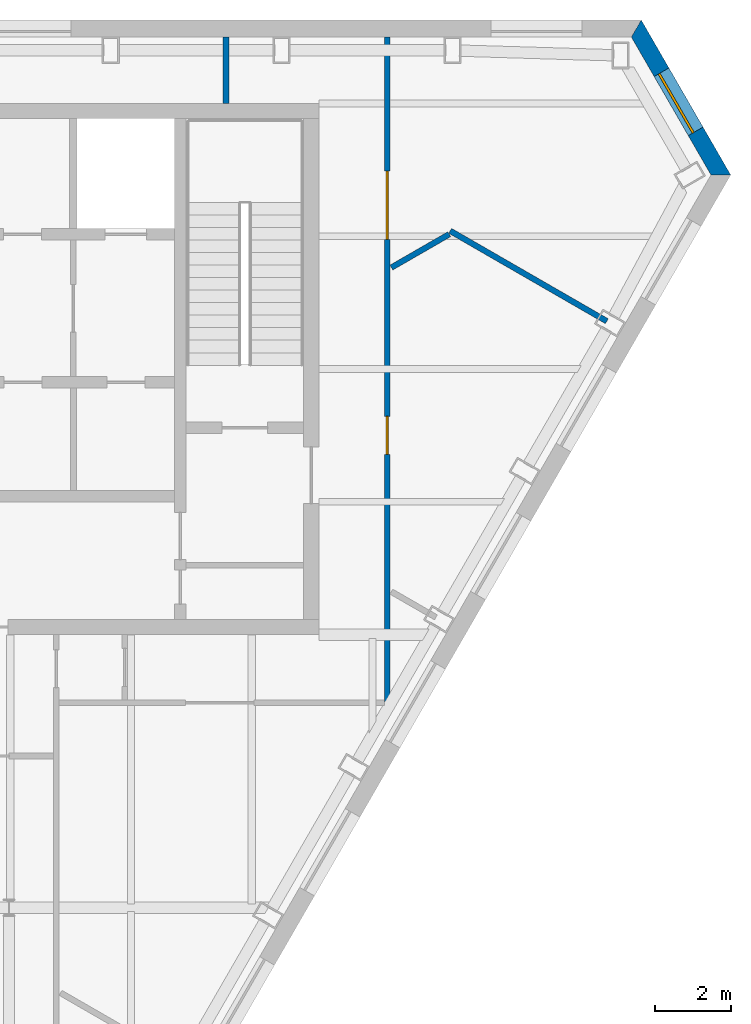
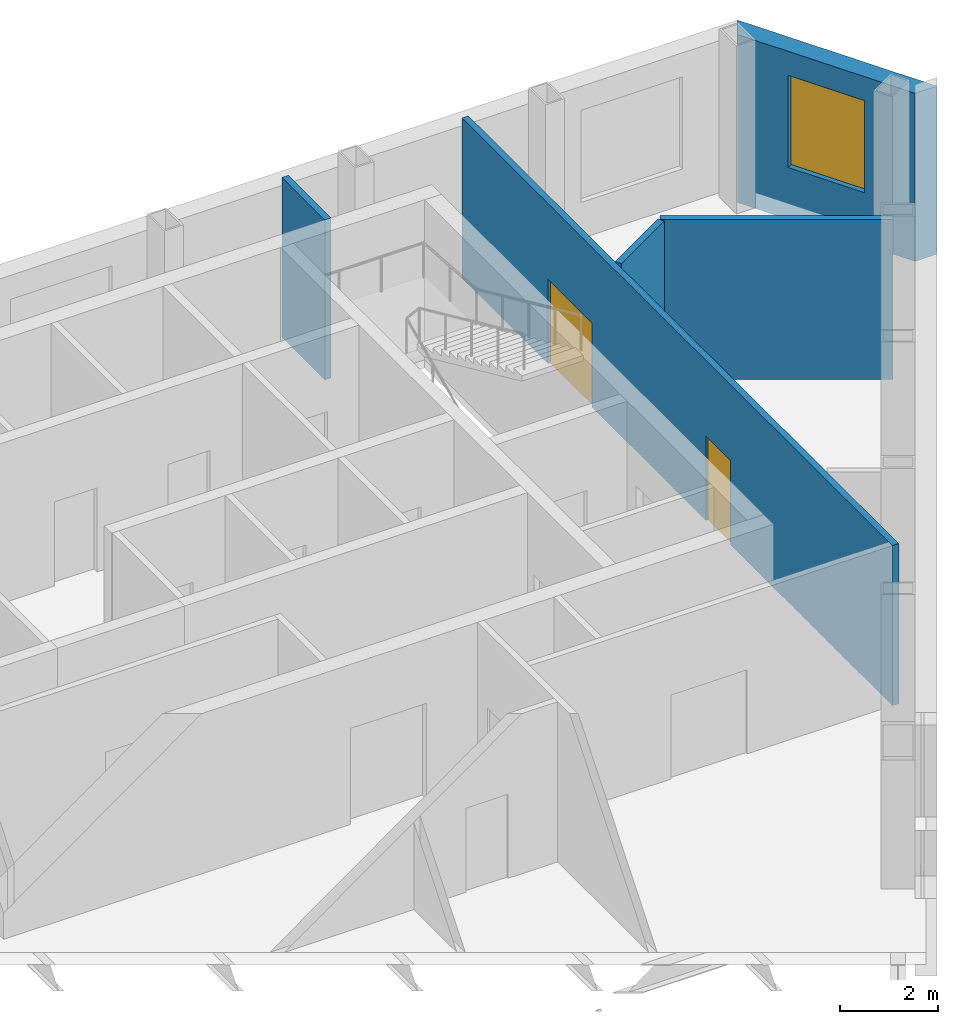
# One storey, part 7 of 10: 5 walls, 2 doors, 1 window, 3 openings.
"""IFC4 building model written with IfcOpenShell, lengths in metres."""

import ifcopenshell
import ifcopenshell.guid

model = None  # the IFC model being written
_history = None  # IfcOwnerHistory: only IFC2X3 demands one
_inside = {}  # id of a spatial element -> (the spatial element, [elements in it])
_under = {}  # id of a project, library or spatial element -> (it, [spatial elements below it])
_declared = {}  # id of a project -> (the project, [libraries it declares])
_typed = {}  # id of a type object -> (the type object, [elements of that type])
_made_of = {}  # id of a material, layer set ... -> (it, [elements and type objects made of it])


def new_model(schema):
    """Start an empty IFC model of exactly this schema.

    Asked for "IFC4X3", IfcOpenShell would pick the latest addendum, in which some entities
    have other attributes; the version numbers below select the first issue.
    IFC2X3 requires an IfcOwnerHistory on every rooted entity: one is made here for all.
    """
    global model, _history
    if schema == "IFC4X3":
        model = ifcopenshell.file(schema_version=(4, 3, 0, 0))
    else:
        model = ifcopenshell.file(schema=schema)
    _inside.clear()
    _under.clear()
    _declared.clear()
    _typed.clear()
    _made_of.clear()
    _history = None
    if model.schema == "IFC2X3":
        org = make("IfcOrganization", Name="unknown")
        user = make(
            "IfcPersonAndOrganization",
            ThePerson=make("IfcPerson", FamilyName="unknown"),
            TheOrganization=org,
        )
        app = make(
            "IfcApplication",
            ApplicationDeveloper=org,
            Version="unknown",
            ApplicationFullName="unknown",
            ApplicationIdentifier="unknown",
        )
        _history = make(
            "IfcOwnerHistory",
            OwningUser=user,
            OwningApplication=app,
            ChangeAction="ADDED",
            CreationDate=0,
        )
    return model


def make(cls, **values):
    """One entity of the class cls with the attributes given. An attribute that is None is left unset."""
    return model.create_entity(
        cls, **{name: value for name, value in values.items() if value is not None}
    )


def rooted(cls, **values):
    """An entity with a GlobalId (a new one), such as an element, a storey or a relation."""
    return make(cls, GlobalId=ifcopenshell.guid.new(), OwnerHistory=_history, **values)


def si_unit(unit_type, name, prefix=None):
    """IfcSIUnit, for example si_unit("LENGTHUNIT", "METRE", prefix="MILLI")."""
    return make("IfcSIUnit", UnitType=unit_type, Prefix=prefix, Name=name)


def assignment(units):
    """IfcUnitAssignment: the units of a project."""
    return None if units is None else make("IfcUnitAssignment", Units=units)


def point(xyz):
    """IfcCartesianPoint."""
    return None if xyz is None else make("IfcCartesianPoint", Coordinates=xyz)


def direction(xyz):
    """IfcDirection."""
    return None if xyz is None else make("IfcDirection", DirectionRatios=xyz)


def frame(location, z_axis=None, x_axis=None):
    """IfcAxis2Placement3D, a coordinate frame: its origin and axes. An axis left out is left unset."""
    return make(
        "IfcAxis2Placement3D",
        Location=point(location),
        Axis=direction(z_axis),
        RefDirection=direction(x_axis),
    )


def frame_2d(location, x_axis=None):
    """IfcAxis2Placement2D, a coordinate frame in the plane: its origin and x axis."""
    return make(
        "IfcAxis2Placement2D", Location=point(location), RefDirection=direction(x_axis)
    )


def origin():
    """The frame at (0, 0, 0) with its axes left unset."""
    return frame((0.0, 0.0, 0.0))


def place(relative_to, where):
    """IfcLocalPlacement: puts the frame where relative to a parent placement (None: the world)."""
    return make(
        "IfcLocalPlacement", PlacementRelTo=relative_to, RelativePlacement=where
    )


def context(
    kind, dimensions, precision=None, world=None, true_north=None, identifier=None
):
    """IfcGeometricRepresentationContext, for example the 3D "Model" context."""
    return make(
        "IfcGeometricRepresentationContext",
        ContextIdentifier=identifier,
        ContextType=kind,
        CoordinateSpaceDimension=dimensions,
        Precision=precision,
        WorldCoordinateSystem=world,
        TrueNorth=true_north,
    )


def subcontext(parent, identifier, kind, view, scale=None):
    """IfcGeometricRepresentationSubContext, for example "Body" below "Model"."""
    return make(
        "IfcGeometricRepresentationSubContext",
        ContextIdentifier=identifier,
        ContextType=kind,
        ParentContext=parent,
        TargetScale=scale,
        TargetView=view,
    )


def project(units=None, contexts=None):
    """IfcProject with its units and contexts."""
    return rooted(
        "IfcProject",
        Name="project",
        RepresentationContexts=contexts,
        UnitsInContext=assignment(units),
    )


def spatial(cls, under=None, at=None, **own):
    """A site, building, storey or space (cls), placed at a placement, below another one or the project."""
    s = rooted(cls, ObjectPlacement=at, **own)
    if under is not None:
        _under.setdefault(under.id(), (under, []))[1].append(s)
    return s


def polyline(points):
    """IfcPolyline through the points."""
    return make("IfcPolyline", Points=[point(p) for p in points])


def profile(cls, at=None, kind="AREA", **sizes):
    """A parametric profile (cls). Its sizes go by their IFC names, for example OverallWidth=200.0."""
    return make(cls, ProfileType=kind, Position=at, **sizes)


def rectangle(**sizes):
    """IfcRectangleProfileDef."""
    return profile("IfcRectangleProfileDef", **sizes)


def outline(outer, holes=None, kind="AREA"):
    """IfcArbitraryClosedProfileDef: a profile drawn as a closed curve; with holes, ...WithVoids."""
    if holes is None:
        return make("IfcArbitraryClosedProfileDef", ProfileType=kind, OuterCurve=outer)
    return make(
        "IfcArbitraryProfileDefWithVoids",
        ProfileType=kind,
        OuterCurve=outer,
        InnerCurves=holes,
    )


def extrude(swept, where, along, depth):
    """IfcExtrudedAreaSolid: the profile swept, set in the frame where, extruded along a direction by depth."""
    return make(
        "IfcExtrudedAreaSolid",
        SweptArea=swept,
        Position=where,
        ExtrudedDirection=direction(along),
        Depth=depth,
    )


def shape(context_of_items, identifier, shape_type, items):
    """IfcShapeRepresentation: the items that make up one representation, for example the "Body"."""
    return make(
        "IfcShapeRepresentation",
        ContextOfItems=context_of_items,
        RepresentationIdentifier=identifier,
        RepresentationType=shape_type,
        Items=items,
    )


def material(Name=None, Category=None):
    """IfcMaterial."""
    return make("IfcMaterial", Name=Name, Category=Category)


def layer(
    of_material, thickness, ventilated=None, Name=None, Category=None, Priority=None
):
    """IfcMaterialLayer: one layer of a wall or slab, of a material (None: an air gap)."""
    return make(
        "IfcMaterialLayer",
        Material=of_material,
        LayerThickness=thickness,
        IsVentilated=ventilated,
        Name=Name,
        Category=Category,
        Priority=Priority,
    )


def layer_set(layers, Name=None):
    """IfcMaterialLayerSet."""
    return make("IfcMaterialLayerSet", MaterialLayers=layers, LayerSetName=Name)


def made_of(thing, what):
    """Note that an element or type object is made of a material, layer set ...; save() writes the relation."""
    if what is not None:
        _made_of.setdefault(what.id(), (what, []))[1].append(thing)
    return thing


def type_object(cls, material=None, **own):
    """A type object (cls), such as IfcWallType, which elements share."""
    return made_of(rooted(cls, **own), material)


def element(
    cls,
    number,
    at=None,
    inside=None,
    cuts=None,
    type_object=None,
    material=None,
    context=None,
    identifier="Body",
    shape_type=None,
    held_by="IfcProductDefinitionShape",
    body=None,
    shapes=None,
    **own,
):
    """One element of the class cls, such as IfcWall. Its Tag is "e" and its number.

    at: its placement. inside: the storey or other place that contains it. cuts: it is an
    opening in that element (IfcRelVoidsElement). A single representation is given by context,
    identifier, shape_type and body (its items); several are given by shapes. held_by: the class
    of the entity that holds the representations. save() writes the other relations.
    """
    e = rooted(cls, Tag="e%d" % number, ObjectPlacement=at, **own)
    if body is not None:
        shapes = [shape(context, identifier, shape_type, body)]
    if shapes is not None:
        e.Representation = make(held_by, Representations=shapes)
    if inside is not None:
        _inside.setdefault(inside.id(), (inside, []))[1].append(e)
    if cuts is not None:
        rooted(
            "IfcRelVoidsElement", RelatingBuildingElement=cuts, RelatedOpeningElement=e
        )
    if type_object is not None:
        _typed.setdefault(type_object.id(), (type_object, []))[1].append(e)
    return made_of(e, material)


def fill(opening, filler):
    """IfcRelFillsElement: the door or window that sits in an opening."""
    return rooted(
        "IfcRelFillsElement",
        RelatingOpeningElement=opening,
        RelatedBuildingElement=filler,
    )


def aggregate(whole, parts):
    """IfcRelAggregates: a whole, such as a stair, and the parts it consists of."""
    return rooted("IfcRelAggregates", RelatingObject=whole, RelatedObjects=parts)


def save(model, path):
    """Write the relations noted so far, then the file.

    IfcRelAggregates (storeys below a building ...), IfcRelContainedInSpatialStructure (elements
    in a storey), IfcRelDefinesByType, IfcRelAssociatesMaterial and IfcRelDeclares: one each for
    every whole, place, type object, material and project.
    """
    for whole, parts in _under.values():
        aggregate(whole, parts)
    for where, things in _inside.values():
        rooted(
            "IfcRelContainedInSpatialStructure",
            RelatedElements=things,
            RelatingStructure=where,
        )
    for kind, things in _typed.values():
        rooted("IfcRelDefinesByType", RelatedObjects=things, RelatingType=kind)
    for what, things in _made_of.values():
        rooted("IfcRelAssociatesMaterial", RelatedObjects=things, RelatingMaterial=what)
    for by, libraries in _declared.values():
        rooted("IfcRelDeclares", RelatingContext=by, RelatedDefinitions=libraries)
    model.write(path)


model = new_model("IFC4")

# Units and contexts
model_context = context("Model", 3, precision=1e-05, world=origin(), true_north=direction((0.0, 1.0)))
body_context = subcontext(model_context, "Body", "Model", "MODEL_VIEW")
ifc_project = project(units=[si_unit("LENGTHUNIT", "METRE"), si_unit("AREAUNIT", "SQUARE_METRE"), si_unit("VOLUMEUNIT", "CUBIC_METRE"), si_unit("PLANEANGLEUNIT", "RADIAN"), si_unit("MASSUNIT", "GRAM", prefix="KILO")], contexts=[model_context])

# Site, building, storey
site_placement = place(None, origin())
site = spatial("IfcSite", under=ifc_project, at=site_placement, CompositionType="ELEMENT")
building_placement = place(site_placement, origin())
building = spatial("IfcBuilding", under=site, at=building_placement, Name="Njiva Tower", CompositionType="ELEMENT")
storey_placement = place(building_placement, frame((0.0, 0.0, 308.4)))
storey = spatial("IfcBuildingStorey", under=building, at=storey_placement, Name="L70", CompositionType="ELEMENT", Elevation=308.4)

# Wall
ifc_material_1 = material(Name="Gypsum board on steel studs", Category="gypsum")
ifc_layer_1 = layer(ifc_material_1, 0.15)
ifc_layer_set_1 = layer_set([ifc_layer_1], Name="Gypsum board on steel studs")
wall_type_1 = type_object("IfcWallType", Name="WT21 Compartment wall 150", PredefinedType="PARTITIONING", material=ifc_layer_set_1)
wall_1_placement = place(storey_placement, frame((12.05, 18.0, 0.0), z_axis=(0.0, 0.0, 1.0), x_axis=(0.0, 1.0, 0.0)))
element("IfcWall", 1, at=wall_1_placement, inside=storey, type_object=wall_type_1, Name="Partition S23-P024", PredefinedType="PARTITIONING", context=body_context, shape_type="SweptSolid", body=[
    extrude(rectangle(XDim=1.75, YDim=0.15, at=frame_2d((0.875, 0.0))), origin(), (0.0, 0.0, 1.0), 4.0),
])

# Wall, openings, doors
wall_2_placement = place(storey_placement, frame((16.3, 2.125, 0.0), z_axis=(0.0, 0.0, 1.0), x_axis=(0.0, 1.0, 0.0)))
wall_2 = element("IfcWall", 2, at=wall_2_placement, inside=storey, type_object=wall_type_1, Name="Partition S23-P025", PredefinedType="PARTITIONING", context=body_context, shape_type="SweptSolid", body=[
    extrude(rectangle(XDim=17.623, YDim=0.15, at=frame_2d((8.8115, 0.0))), origin(), (0.0, 0.0, 1.0), 4.0),
])
opening_1_placement = place(wall_2_placement, frame((6.627, 0.0, 0.0)))
opening_1 = element("IfcOpeningElement", 3, at=opening_1_placement, cuts=wall_2, Name="Opening S23-D015", PredefinedType="OPENING", context=body_context, shape_type="SweptSolid", body=[
    extrude(rectangle(XDim=1.0, YDim=2.1, at=frame_2d((0.5, 1.05))), frame((0.0, 0.085, 0.0), z_axis=(0.0, -1.0, 0.0), x_axis=(1.0, 0.0, 0.0)), (0.0, 0.0, 1.0), 0.17),
])
opening_2_placement = place(wall_2_placement, frame((12.292, 0.0, 0.0)))
opening_2 = element("IfcOpeningElement", 4, at=opening_2_placement, cuts=wall_2, Name="Opening S23-D016", PredefinedType="OPENING", context=body_context, shape_type="SweptSolid", body=[
    extrude(rectangle(XDim=1.8, YDim=2.1, at=frame_2d((0.9, 1.05))), frame((0.0, 0.085, 0.0), z_axis=(0.0, -1.0, 0.0), x_axis=(1.0, 0.0, 0.0)), (0.0, 0.0, 1.0), 0.17),
])
ifc_material_2 = material(Name="Steel fire door set", Category="steel")
door_type_1 = type_object("IfcDoorType", Name="D37 Fire door 1000x2100", OperationType="SINGLE_SWING_LEFT", PredefinedType="DOOR", material=ifc_material_2)
door_1_placement = place(opening_1_placement, origin())
door_1 = element("IfcDoor", 5, at=door_1_placement, inside=storey, type_object=door_type_1, Name="Door S23-D015", OperationType="SINGLE_SWING_LEFT", OverallHeight=2.1, OverallWidth=1.0, PredefinedType="DOOR", context=body_context, shape_type="SweptSolid", body=[
    extrude(rectangle(XDim=1.0, YDim=2.1, at=frame_2d((0.5, 1.05))), frame((0.0, 0.025, 0.0), z_axis=(0.0, -1.0, 0.0), x_axis=(1.0, 0.0, 0.0)), (0.0, 0.0, 1.0), 0.05),
])
fill(opening_1, door_1)
door_type_2 = type_object("IfcDoorType", Name="D38 Fire door 1800x2100", OperationType="DOUBLE_DOOR_SINGLE_SWING", PredefinedType="DOOR", material=ifc_material_2)
door_2_placement = place(opening_2_placement, origin())
door_2 = element("IfcDoor", 6, at=door_2_placement, inside=storey, type_object=door_type_2, Name="Door S23-D016", OperationType="DOUBLE_DOOR_SINGLE_SWING", OverallHeight=2.1, OverallWidth=1.8, PredefinedType="DOOR", context=body_context, shape_type="SweptSolid", body=[
    extrude(rectangle(XDim=1.8, YDim=2.1, at=frame_2d((0.9, 1.05))), frame((0.0, 0.025, 0.0), z_axis=(0.0, -1.0, 0.0), x_axis=(1.0, 0.0, 0.0)), (0.0, 0.0, 1.0), 0.05),
])
fill(opening_2, door_2)

# Walls
wall_3_placement = place(storey_placement, frame((16.412, 13.676, 0.0), z_axis=(0.0, 0.0, 1.0), x_axis=(0.866525711774, 0.499132438171, 0.0)))
element("IfcWall", 7, at=wall_3_placement, inside=storey, type_object=wall_type_1, Name="Partition S23-P026", PredefinedType="PARTITIONING", context=body_context, shape_type="SweptSolid", body=[
    extrude(rectangle(XDim=1.7611, YDim=0.15, at=frame_2d((0.8806, 0.0))), origin(), (0.0, 0.0, 1.0), 4.0),
])
wall_4_placement = place(storey_placement, frame((17.962, 14.643, 0.0), z_axis=(0.0, 0.0, 1.0), x_axis=(0.866248432975, -0.499613502989, 0.0)))
element("IfcWall", 8, at=wall_4_placement, inside=storey, type_object=wall_type_1, Name="Partition S23-P028", PredefinedType="PARTITIONING", context=body_context, shape_type="SweptSolid", body=[
    extrude(rectangle(XDim=4.7677, YDim=0.15, at=frame_2d((2.3838, 0.0))), origin(), (0.0, 0.0, 1.0), 4.0),
])

# Wall, opening, window
ifc_material_3 = material(Name="Brick masonry, buff", Category="masonry")
ifc_layer_2 = layer(ifc_material_3, 0.45)
ifc_layer_set_2 = layer_set([ifc_layer_2], Name="Brick masonry, buff")
wall_type_2 = type_object("IfcWallType", Name="WT94 Brick pier and spandrel wall 450, buff", PredefinedType="SOLIDWALL", material=ifc_layer_set_2)
wall_5_placement = place(storey_placement, frame((25.0989, 16.1145, -0.4), z_axis=(0.0, 0.0, 1.0), x_axis=(-0.499994806646, 0.866028402148, 0.0)))
wall_5 = element("IfcWall", 9, at=wall_5_placement, inside=storey, type_object=wall_type_2, Name="Facade wall NE", PredefinedType="SOLIDWALL", context=body_context, shape_type="SweptSolid", body=[
    extrude(outline(polyline([(-0.1299, -0.225), (4.5901, -0.225), (4.3303, 0.225), (0.1299, 0.225), (-0.1299, -0.225)])), origin(), (0.0, 0.0, 1.0), 4.2),
])
opening_3_placement = place(wall_5_placement, frame((1.3301, 0.0, 1.3)))
opening_3 = element("IfcOpeningElement", 10, at=opening_3_placement, cuts=wall_5, Name="Opening S23-W29", PredefinedType="OPENING", context=body_context, shape_type="SweptSolid", body=[
    extrude(rectangle(XDim=1.8, YDim=2.3, at=frame_2d((0.9, 1.15))), frame((0.0, 0.235, 0.0), z_axis=(0.0, -1.0, 0.0), x_axis=(1.0, 0.0, 0.0)), (0.0, 0.0, 1.0), 0.47),
])
ifc_material_4 = material(Name="Clear glazing in aluminium frame", Category="aluminium")
window_type = type_object("IfcWindowType", Name="W95 Deep-set window 1800x2300", PartitioningType="SINGLE_PANEL", PredefinedType="WINDOW", material=ifc_material_4)
window_placement = place(opening_3_placement, origin())
window = element("IfcWindow", 11, at=window_placement, inside=storey, type_object=window_type, Name="Window", OverallHeight=2.3, OverallWidth=1.8, PartitioningType="SINGLE_PANEL", PredefinedType="WINDOW", context=body_context, shape_type="SweptSolid", body=[
    extrude(rectangle(XDim=1.8, YDim=2.3, at=frame_2d((0.9, 1.15))), frame((0.0, 0.105, 0.0), z_axis=(0.0, -1.0, 0.0), x_axis=(1.0, 0.0, 0.0)), (0.0, 0.0, 1.0), 0.06),
])
fill(opening_3, window)

save(model, "model.ifc")
